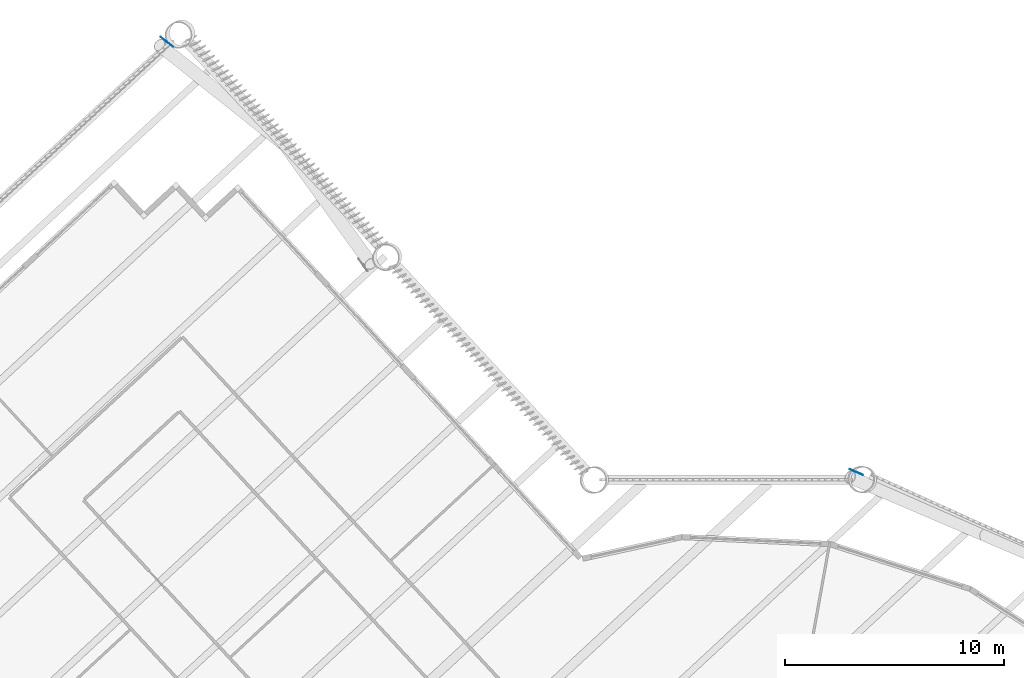
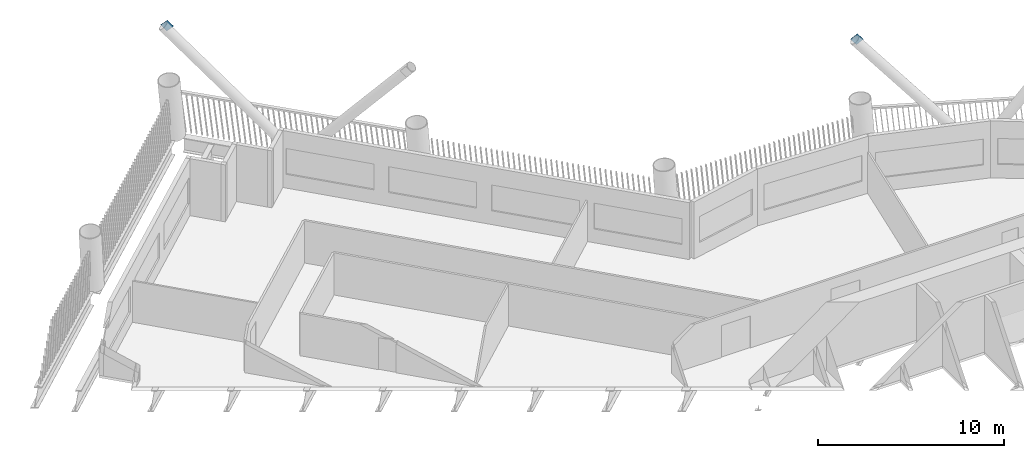
# One storey, part 13 of 22: 2 discrete accessories.
"""IFC4 building model written with IfcOpenShell, lengths in metres."""

from ifc_helpers import new_model, si_unit, direction, frame, origin, origin_2d, place, context, subcontext, project, spatial, rectangle, extrude, material, material_profile, profile_set, type_object, element, save


model = new_model("IFC4")

# Units and contexts
model_context = context("Model", 3, precision=1e-05, world=origin(), true_north=direction((0.0, 1.0)))
body_context = subcontext(model_context, "Body", "Model", "MODEL_VIEW")
ifc_project = project(units=[si_unit("LENGTHUNIT", "METRE"), si_unit("AREAUNIT", "SQUARE_METRE"), si_unit("VOLUMEUNIT", "CUBIC_METRE"), si_unit("PLANEANGLEUNIT", "RADIAN"), si_unit("MASSUNIT", "GRAM", prefix="KILO")], contexts=[model_context])

# Site, building, storey
site_placement = place(None, origin())
site = spatial("IfcSite", under=ifc_project, at=site_placement, CompositionType="ELEMENT")
building_placement = place(site_placement, origin())
building = spatial("IfcBuilding", under=site, at=building_placement, Name="Tarsis Ring Headquarters", CompositionType="ELEMENT")
storey_placement = place(building_placement, frame((0.0, 0.0, 63.39990234375)))
storey = spatial("IfcBuildingStorey", under=building, at=storey_placement, Name="L13", CompositionType="ELEMENT", Elevation=63.39990234375)

# Discrete accessories
ifc_material = material(Name="Structural steel S355", Category="steel")
ifc_material_profile = material_profile(ifc_material, rectangle(XDim=0.02490234375, YDim=0.5, at=origin_2d()), Name="PL 25x500")
ifc_profile_set = profile_set([ifc_material_profile], Name="Structural steel S355")
discrete_accessory_type = type_object("IfcDiscreteAccessoryType", Name="Gusset plate Exo brace 25", PredefinedType="BRACKET", material=ifc_profile_set)
discrete_accessory_1_placement = place(storey_placement, frame((5.654052734375, 28.80908203125, 7.800048828125), z_axis=(0.599898573719, -0.256959812521, -0.757689485211), x_axis=(0.393738605886, 0.919222448722, 0.0)))
element("IfcDiscreteAccessory", 1, at=discrete_accessory_1_placement, inside=storey, type_object=discrete_accessory_type, Name="Gusset plate GP5", PredefinedType="BRACKET", context=body_context, shape_type="SweptSolid", body=[
    extrude(rectangle(XDim=0.02490234375, YDim=0.5, at=origin_2d()), origin(), (0.0, 0.0, 1.0), 0.499755859375),
])
discrete_accessory_2_placement = place(storey_placement, frame((-25.834228515625, 48.510498046875, 7.800048828125), z_axis=(0.536053579173, -0.426694743349, -0.728407960043), x_axis=(0.622781416821, 0.782395876052, 0.0)))
element("IfcDiscreteAccessory", 2, at=discrete_accessory_2_placement, inside=storey, type_object=discrete_accessory_type, Name="Gusset plate GP5", PredefinedType="BRACKET", context=body_context, shape_type="SweptSolid", body=[
    extrude(rectangle(XDim=0.02490234375, YDim=0.5, at=origin_2d()), origin(), (0.0, 0.0, 1.0), 0.5),
])

save(model, "model.ifc")
